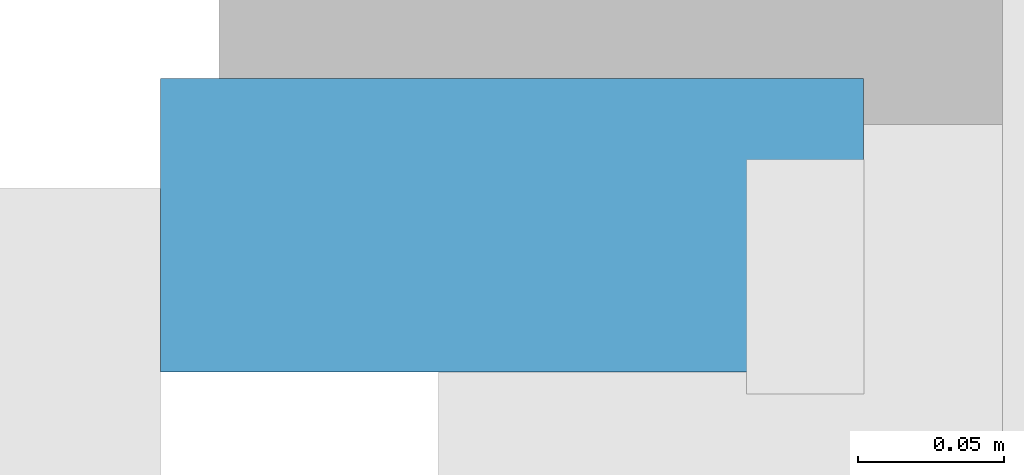
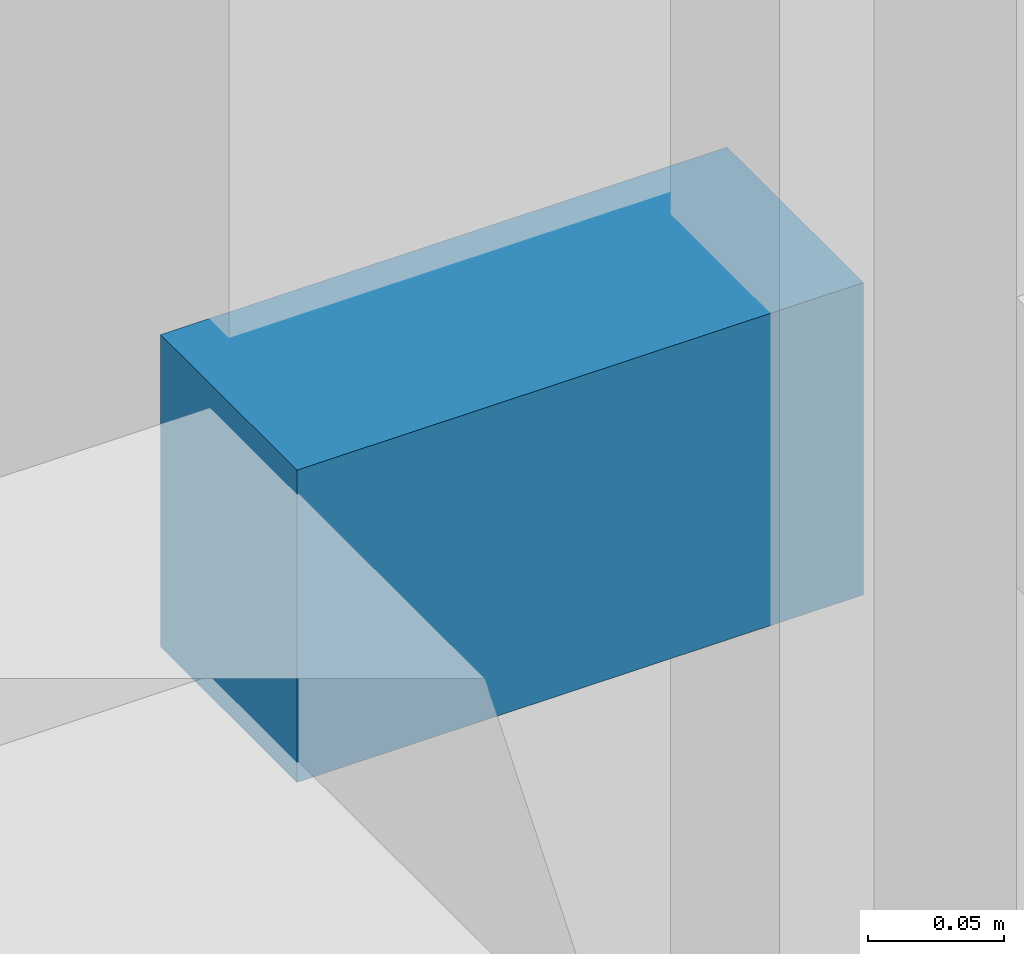
# One storey, part 81 of 122: 1 discrete accessory.
"""IFC4 building model written with IfcOpenShell, lengths in metres."""

from ifc_helpers import new_model, si_unit, direction, frame, origin, origin_2d, place, context, subcontext, project, spatial, rectangle, extrude, material, type_object, element, save


model = new_model("IFC4")

# Units and contexts
model_context = context("Model", 3, precision=1e-05, world=origin(), true_north=direction((0.0, 1.0)))
body_context = subcontext(model_context, "Body", "Model", "MODEL_VIEW")
ifc_project = project(units=[si_unit("LENGTHUNIT", "METRE"), si_unit("AREAUNIT", "SQUARE_METRE"), si_unit("VOLUMEUNIT", "CUBIC_METRE"), si_unit("PLANEANGLEUNIT", "RADIAN"), si_unit("MASSUNIT", "GRAM", prefix="KILO")], contexts=[model_context])

# Site, building, storey
site_placement = place(None, origin())
site = spatial("IfcSite", under=ifc_project, at=site_placement, CompositionType="ELEMENT")
building_placement = place(site_placement, origin())
building = spatial("IfcBuilding", under=site, at=building_placement, Name="Telukmera Botanical Conservatory", CompositionType="ELEMENT")
storey_placement = place(building_placement, frame((0.0, 0.0, 10.199951171875)))
storey = spatial("IfcBuildingStorey", under=building, at=storey_placement, Name="L02", CompositionType="ELEMENT", Elevation=10.199951171875)

# Discrete accessory
ifc_material = material(Name="Steel S355", Category="steel")
discrete_accessory_type = type_object("IfcDiscreteAccessoryType", Name="Structural Steel Facade Outrigger Fin Bracket", PredefinedType="BRACKET", material=ifc_material)
discrete_accessory_placement = place(storey_placement, frame((8.199951171875, 74.465576171875, 0.8798828125), z_axis=(0.0, 0.0, 1.0), x_axis=(0.0, 1.0, 0.0)))
element("IfcDiscreteAccessory", 1, at=discrete_accessory_placement, inside=storey, type_object=discrete_accessory_type, Name="Facade Outrigger Bracket V3:L02:W7 B", PredefinedType="BRACKET", context=body_context, shape_type="SweptSolid", body=[
    extrude(rectangle(XDim=0.10009765625, YDim=0.239990234375, at=origin_2d()), origin(), (0.0, 0.0, 1.0), 0.139892578125),
])

save(model, "model.ifc")
